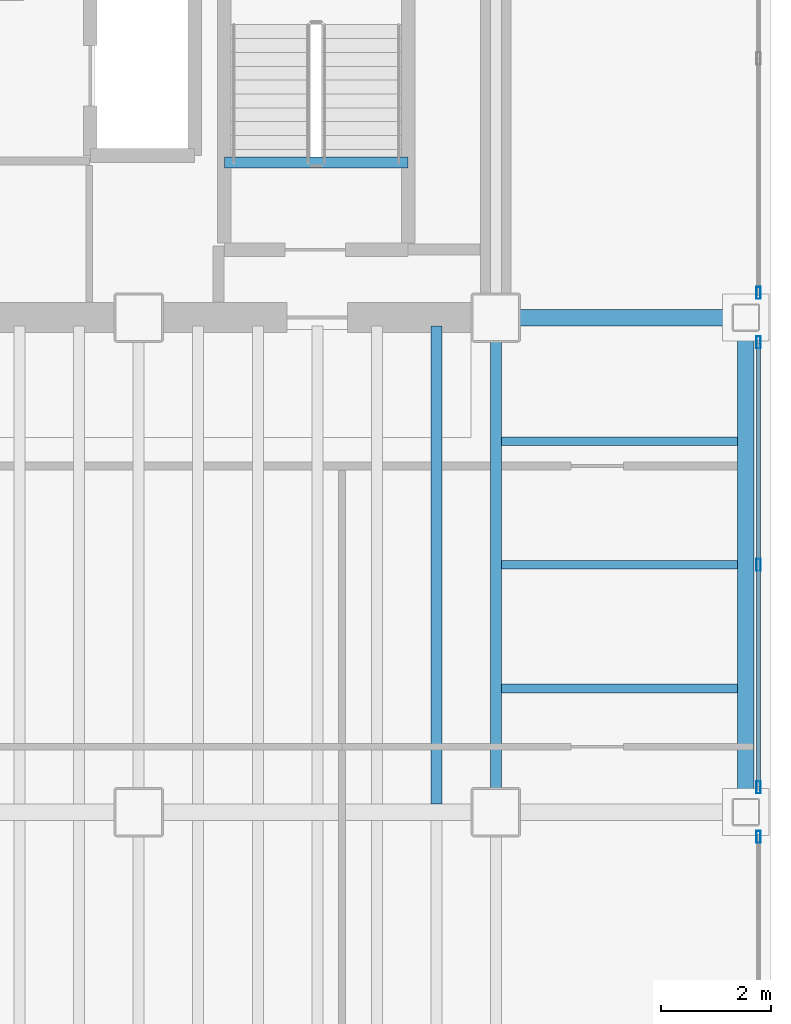
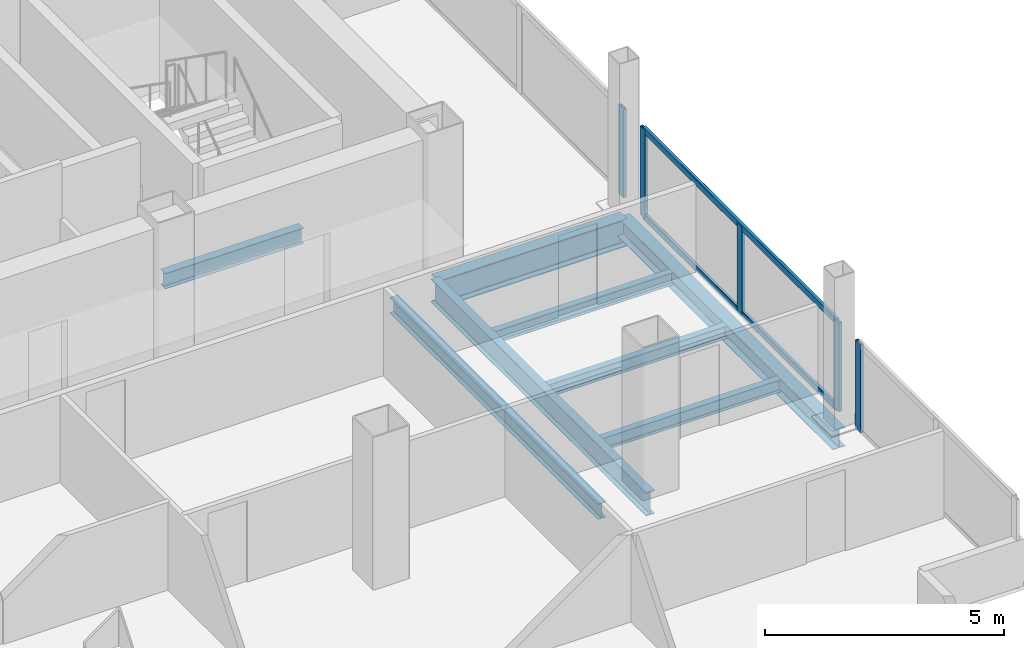
# One storey, part 16 of 22: 8 beams, 7 members, 3 elements without a shape of their own.
"""IFC4 building model written with IfcOpenShell, lengths in metres."""

from ifc_helpers import new_model, si_unit, direction, frame, origin, origin_2d, place, context, subcontext, project, spatial, hollow_rectangle, i_section, extrude, material, material_profile, profile_set, type_object, element, aggregate, save


model = new_model("IFC4")

# Units and contexts
model_context = context("Model", 3, precision=1e-05, world=origin(), true_north=direction((0.0, 1.0)))
body_context = subcontext(model_context, "Body", "Model", "MODEL_VIEW")
ifc_project = project(units=[si_unit("LENGTHUNIT", "METRE"), si_unit("AREAUNIT", "SQUARE_METRE"), si_unit("VOLUMEUNIT", "CUBIC_METRE"), si_unit("PLANEANGLEUNIT", "RADIAN"), si_unit("MASSUNIT", "GRAM", prefix="KILO")], contexts=[model_context])

# Site, building, storey
site_placement = place(None, origin())
site = spatial("IfcSite", under=ifc_project, at=site_placement, CompositionType="ELEMENT")
building_placement = place(site_placement, origin())
building = spatial("IfcBuilding", under=site, at=building_placement, Name="Noeulbin Bourse Tower", CompositionType="ELEMENT")
storey_placement = place(building_placement, frame((0.0, 0.0, 138.300048828125)))
storey = spatial("IfcBuildingStorey", under=building, at=storey_placement, Name="L34", CompositionType="ELEMENT", Elevation=138.300048828125)

# Beams
ifc_material_1 = material(Name="Steel S355", Category="steel")
ifc_material_profile_1 = material_profile(ifc_material_1, i_section(OverallWidth=0.199951171875, OverallDepth=0.60009765625, WebThickness=0.010986328125, FlangeThickness=0.01708984375, FilletRadius=0.02197265625, at=origin_2d()), Name="H-600x200x11x17", Category="LoadBearing")
ifc_profile_set_1 = profile_set([ifc_material_profile_1], Name="Steel S355")
beam_type_1 = type_object("IfcBeamType", Name="BM-GRD-600", PredefinedType="USERDEFINED", material=ifc_profile_set_1)
beam_1_placement = place(storey_placement, frame((44.0, 20.0, -0.47998046875), z_axis=(0.0, 1.0, 0.0), x_axis=(-1.0, 0.0, 0.0)))
element("IfcBeam", 1, at=beam_1_placement, inside=storey, type_object=beam_type_1, Name="Tower Primary Girder NS L34-5.2", ObjectType="GIRDER", PredefinedType="USERDEFINED", context=body_context, shape_type="SweptSolid", body=[
    extrude(i_section(OverallWidth=0.199951171875, OverallDepth=0.60009765625, WebThickness=0.010986328125, FlangeThickness=0.01708984375, FilletRadius=0.02197265625, at=origin_2d()), origin(), (0.0, 0.0, 1.0), 9.0),
])
ifc_material_profile_2 = material_profile(ifc_material_1, i_section(OverallWidth=0.300048828125, OverallDepth=0.699951171875, WebThickness=0.012939453125, FlangeThickness=0.02392578125, FilletRadius=0.02392578125, at=origin_2d()), Name="H-700x300x13x24", Category="LoadBearing")
ifc_profile_set_2 = profile_set([ifc_material_profile_2], Name="Steel S355")
beam_type_2 = type_object("IfcBeamType", Name="BM-GRD-700", PredefinedType="USERDEFINED", material=ifc_profile_set_2)
beam_2_placement = place(storey_placement, frame((44.0, 29.0, -0.530029296875), z_axis=(1.0, 0.0, 0.0), x_axis=(0.0, 1.0, 0.0)))
element("IfcBeam", 2, at=beam_2_placement, inside=storey, type_object=beam_type_2, Name="Tower Primary Girder EW L34-2.6", ObjectType="GIRDER", PredefinedType="USERDEFINED", context=body_context, shape_type="SweptSolid", body=[
    extrude(i_section(OverallWidth=0.300048828125, OverallDepth=0.699951171875, WebThickness=0.012939453125, FlangeThickness=0.02392578125, FilletRadius=0.02392578125, at=origin_2d()), origin(), (0.0, 0.0, 1.0), 4.550048828125),
])
ifc_material_profile_3 = material_profile(ifc_material_1, i_section(OverallWidth=0.159912109375, OverallDepth=0.320068359375, WebThickness=0.006591796875, FlangeThickness=0.010009765625, FilletRadius=0.012939453125, at=origin_2d()), Name="H-320x160x6.5x10", Category="LoadBearing")
ifc_profile_set_3 = profile_set([ifc_material_profile_3], Name="Steel S355")
beam_type_3 = type_object("IfcBeamType", Name="BM-JST-320", PredefinedType="JOIST", material=ifc_profile_set_3)
for number, where, z_axis, x_axis, name in (
    (3, (44.10009765625, 22.25, -0.340087890625), (1.0, 0.0, 0.0), (0.0, 1.0, 0.0), "Wing Composite Joist L34-E50"),
    (4, (44.10009765625, 24.5, -0.340087890625), (1.0, 0.0, 0.0), (0.0, 1.0, 0.0), "Wing Composite Joist L34-E51"),
    (5, (44.10009765625, 26.75, -0.340087890625), (1.0, 0.0, 0.0), (0.0, 1.0, 0.0), "Wing Composite Joist L34-E52"),
):
    element("IfcBeam", number, at=place(storey_placement, frame(where, z_axis=z_axis, x_axis=x_axis)), inside=storey, type_object=beam_type_3, Name=name, PredefinedType="JOIST", context=body_context, shape_type="SweptSolid", body=[
        extrude(i_section(OverallWidth=0.159912109375, OverallDepth=0.320068359375, WebThickness=0.006591796875, FlangeThickness=0.010009765625, FilletRadius=0.012939453125, at=origin_2d()), origin(), (0.0, 0.0, 1.0), 4.2998046875),
    ])
ifc_material_profile_4 = material_profile(ifc_material_1, i_section(OverallWidth=0.199951171875, OverallDepth=0.39990234375, WebThickness=0.008056640625, FlangeThickness=0.012939453125, FilletRadius=0.01611328125, at=origin_2d()), Name="H-400x200x8x13", Category="LoadBearing")
ifc_profile_set_4 = profile_set([ifc_material_profile_4], Name="Steel S355")
beam_type_4 = type_object("IfcBeamType", Name="BM-SEC-400", PredefinedType="BEAM", material=ifc_profile_set_4)
beam_3_placement = place(storey_placement, frame((42.916748046875, 20.14990234375, -0.380126953125), z_axis=(0.0, 1.0, 0.0), x_axis=(-1.0, 0.0, 0.0)))
element("IfcBeam", 6, at=beam_3_placement, inside=storey, type_object=beam_type_4, Name="Tower Composite Joist L34-46", PredefinedType="BEAM", context=body_context, shape_type="SweptSolid", body=[
    extrude(i_section(OverallWidth=0.199951171875, OverallDepth=0.39990234375, WebThickness=0.008056640625, FlangeThickness=0.012939453125, FilletRadius=0.01611328125, at=origin_2d()), origin(), (0.0, 0.0, 1.0), 8.7001953125),
])
beam_4_placement = place(storey_placement, frame((39.06005859375, 31.820068359375, -0.199951171875), z_axis=(1.0, 0.0, 0.0), x_axis=(0.0, 1.0, 0.0)))
element("IfcBeam", 7, at=beam_4_placement, inside=storey, type_object=beam_type_4, Name="Stair Threshold Trimmer Beam ST2-L34", PredefinedType="BEAM", context=body_context, shape_type="SweptSolid", body=[
    extrude(i_section(OverallWidth=0.199951171875, OverallDepth=0.39990234375, WebThickness=0.008056640625, FlangeThickness=0.012939453125, FilletRadius=0.01611328125, at=origin_2d()), origin(), (0.0, 0.0, 1.0), 3.33984375),
])
ifc_material_profile_5 = material_profile(ifc_material_1, i_section(OverallWidth=0.300048828125, OverallDepth=0.488037109375, WebThickness=0.010986328125, FlangeThickness=0.01806640625, FilletRadius=0.02197265625, at=origin_2d()), Name="H-488x300x11x18", Category="LoadBearing")
ifc_profile_set_5 = profile_set([ifc_material_profile_5], Name="Steel S355")
beam_type_5 = type_object("IfcBeamType", Name="BM-SPN-488", PredefinedType="SPANDREL", material=ifc_profile_set_5)
beam_5_placement = place(storey_placement, frame((48.550048828125, 20.0, -0.424072265625), z_axis=(0.0, 1.0, 0.0), x_axis=(-1.0, 0.0, 0.0)))
element("IfcBeam", 8, at=beam_5_placement, inside=storey, type_object=beam_type_5, Name="East Spandrel L34-1", PredefinedType="SPANDREL", context=body_context, shape_type="SweptSolid", body=[
    extrude(i_section(OverallWidth=0.300048828125, OverallDepth=0.488037109375, WebThickness=0.010986328125, FlangeThickness=0.01806640625, FilletRadius=0.02197265625, at=origin_2d()), origin(), (0.0, 0.0, 1.0), 9.0),
])

# Curtain wall, member
ifc_material_2 = material(Name="Dark Tinted Triple Glazing", Category="glass")
curtain_wall_type = type_object("IfcCurtainWallType", Name="CW-SYS-3", PredefinedType="NOTDEFINED", material=ifc_material_2)
curtain_wall_1_placement = place(storey_placement, origin())
curtain_wall_1 = element("IfcCurtainWall", 9, at=curtain_wall_1_placement, inside=storey, type_object=curtain_wall_type, Name="Unitised Curtain Wall CW-L34-E-S1", PredefinedType="NOTDEFINED")
ifc_material_3 = material(Name="Anodised Aluminium 6063-T6", Category="aluminium")
ifc_material_profile_6 = material_profile(ifc_material_3, hollow_rectangle(XDim=0.074951171875, YDim=0.219970703125, WallThickness=0.0048828125, InnerFilletRadius=0.00244140625, OuterFilletRadius=0.0048828125, at=origin_2d()), Name="ALU-MULL-75x220x5", Category="LoadBearing")
ifc_profile_set_6 = profile_set([ifc_material_profile_6], Name="Anodised Aluminium 6063-T6")
member_type_1 = type_object("IfcMemberType", Name="CW-SYS-3-MUL", PredefinedType="MULLION", material=ifc_profile_set_6)
member_1_placement = place(storey_placement, frame((48.780029296875, 19.550048828125, -0.02001953125), z_axis=(0.0, 0.0, 1.0), x_axis=(1.0, 0.0, 0.0)))
member_1 = element("IfcMember", 10, at=member_1_placement, type_object=member_type_1, Name="Curtain Wall Mullion CW-L34-E-S1-M02", PredefinedType="MULLION", context=body_context, shape_type="SweptSolid", body=[
    extrude(hollow_rectangle(XDim=0.074951171875, YDim=0.219970703125, WallThickness=0.0048828125, InnerFilletRadius=0.00244140625, OuterFilletRadius=0.0048828125, at=origin_2d()), origin(), (0.0, 0.0, 1.0), 2.260009765625),
])
aggregate(curtain_wall_1, [member_1])

# Curtain wall, members
curtain_wall_2_placement = place(storey_placement, origin())
curtain_wall_2 = element("IfcCurtainWall", 11, at=curtain_wall_2_placement, inside=storey, type_object=curtain_wall_type, Name="Unitised Curtain Wall CW-L34-E-S2", PredefinedType="NOTDEFINED")
member_2_placement = place(storey_placement, frame((48.780029296875, 20.449951171875, -0.02001953125), z_axis=(0.0, 0.0, 1.0), x_axis=(1.0, 0.0, 0.0)))
member_2 = element("IfcMember", 12, at=member_2_placement, type_object=member_type_1, Name="Curtain Wall Mullion CW-L34-E-S2-M00", PredefinedType="MULLION", context=body_context, shape_type="SweptSolid", body=[
    extrude(hollow_rectangle(XDim=0.074951171875, YDim=0.219970703125, WallThickness=0.0048828125, InnerFilletRadius=0.00244140625, OuterFilletRadius=0.0048828125, at=origin_2d()), origin(), (0.0, 0.0, 1.0), 2.260009765625),
])
member_3_placement = place(storey_placement, frame((48.780029296875, 24.5, -0.02001953125), z_axis=(0.0, 0.0, 1.0), x_axis=(1.0, 0.0, 0.0)))
member_3 = element("IfcMember", 13, at=member_3_placement, type_object=member_type_1, Name="Curtain Wall Mullion CW-L34-E-S2-M01", PredefinedType="MULLION", context=body_context, shape_type="SweptSolid", body=[
    extrude(hollow_rectangle(XDim=0.074951171875, YDim=0.219970703125, WallThickness=0.0048828125, InnerFilletRadius=0.00244140625, OuterFilletRadius=0.0048828125, at=origin_2d()), origin(), (0.0, 0.0, 1.0), 2.260009765625),
])
member_4_placement = place(storey_placement, frame((48.780029296875, 28.550048828125, -0.02001953125), z_axis=(0.0, 0.0, 1.0), x_axis=(1.0, 0.0, 0.0)))
member_4 = element("IfcMember", 14, at=member_4_placement, type_object=member_type_1, Name="Curtain Wall Mullion CW-L34-E-S2-M02", PredefinedType="MULLION", context=body_context, shape_type="SweptSolid", body=[
    extrude(hollow_rectangle(XDim=0.074951171875, YDim=0.219970703125, WallThickness=0.0048828125, InnerFilletRadius=0.00244140625, OuterFilletRadius=0.0048828125, at=origin_2d()), origin(), (0.0, 0.0, 1.0), 2.260009765625),
])

# Curtain wall, member
curtain_wall_3_placement = place(storey_placement, origin())
curtain_wall_3 = element("IfcCurtainWall", 15, at=curtain_wall_3_placement, inside=storey, type_object=curtain_wall_type, Name="Unitised Curtain Wall CW-L34-E-S3", PredefinedType="NOTDEFINED")
member_5_placement = place(storey_placement, frame((48.780029296875, 29.449951171875, -0.02001953125), z_axis=(0.0, 0.0, 1.0), x_axis=(1.0, 0.0, 0.0)))
member_5 = element("IfcMember", 16, at=member_5_placement, type_object=member_type_1, Name="Curtain Wall Mullion CW-L34-E-S3-M00", PredefinedType="MULLION", context=body_context, shape_type="SweptSolid", body=[
    extrude(hollow_rectangle(XDim=0.074951171875, YDim=0.219970703125, WallThickness=0.0048828125, InnerFilletRadius=0.00244140625, OuterFilletRadius=0.0048828125, at=origin_2d()), origin(), (0.0, 0.0, 1.0), 2.260009765625),
])
aggregate(curtain_wall_3, [member_5])

# Member
ifc_material_profile_7 = material_profile(ifc_material_3, hollow_rectangle(XDim=0.074951171875, YDim=0.159912109375, WallThickness=0.0048828125, InnerFilletRadius=0.00244140625, OuterFilletRadius=0.0048828125, at=origin_2d()), Name="ALU-TRAN-75x160x5", Category="LoadBearing")
ifc_profile_set_7 = profile_set([ifc_material_profile_7], Name="Anodised Aluminium 6063-T6")
member_type_2 = type_object("IfcMemberType", Name="CW-SYS-3-TRN", PredefinedType="USERDEFINED", material=ifc_profile_set_7)
member_6_placement = place(storey_placement, frame((48.780029296875, 20.4599609375, 0.010009765625), z_axis=(0.0, 1.0, 0.0), x_axis=(-1.0, 0.0, 0.0)))
member_6 = element("IfcMember", 17, at=member_6_placement, type_object=member_type_2, Name="Curtain Wall Transom CW-L34-E-S2-T00", ObjectType="TRANSOM", PredefinedType="USERDEFINED", context=body_context, shape_type="SweptSolid", body=[
    extrude(hollow_rectangle(XDim=0.074951171875, YDim=0.159912109375, WallThickness=0.0048828125, InnerFilletRadius=0.00244140625, OuterFilletRadius=0.0048828125, at=origin_2d()), origin(), (0.0, 0.0, 1.0), 8.080078125),
])

member_7_placement = place(storey_placement, frame((48.780029296875, 20.4599609375, 2.2099609375), z_axis=(0.0, 1.0, 0.0), x_axis=(-1.0, 0.0, 0.0)))
member_7 = element("IfcMember", 18, at=member_7_placement, type_object=member_type_2, Name="Curtain Wall Transom CW-L34-E-S2-T01", ObjectType="TRANSOM", PredefinedType="USERDEFINED", context=body_context, shape_type="SweptSolid", body=[
    extrude(hollow_rectangle(XDim=0.074951171875, YDim=0.159912109375, WallThickness=0.0048828125, InnerFilletRadius=0.00244140625, OuterFilletRadius=0.0048828125, at=origin_2d()), origin(), (0.0, 0.0, 1.0), 8.080078125),
])

aggregate(curtain_wall_2, [member_2, member_3, member_4, member_6, member_7])

save(model, "model.ifc")
